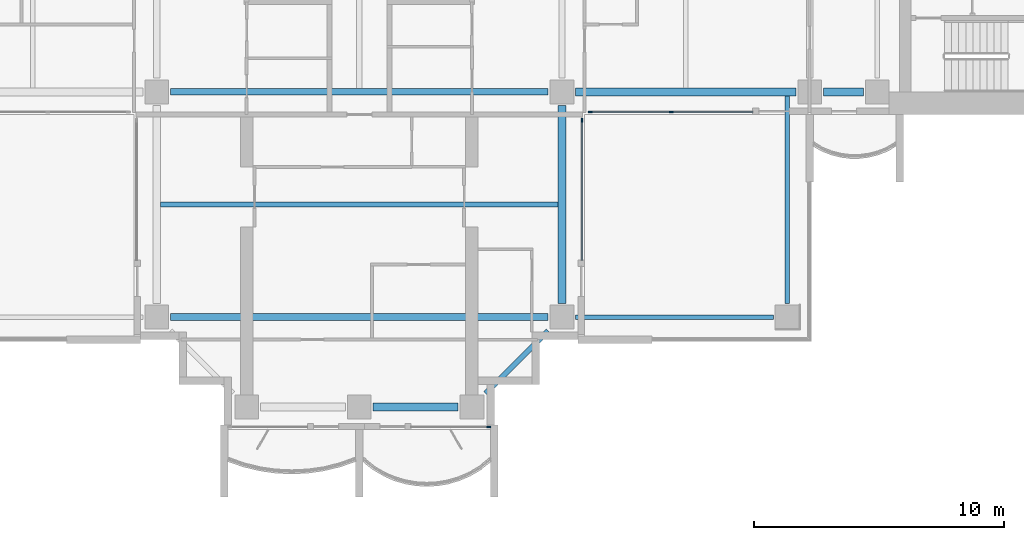
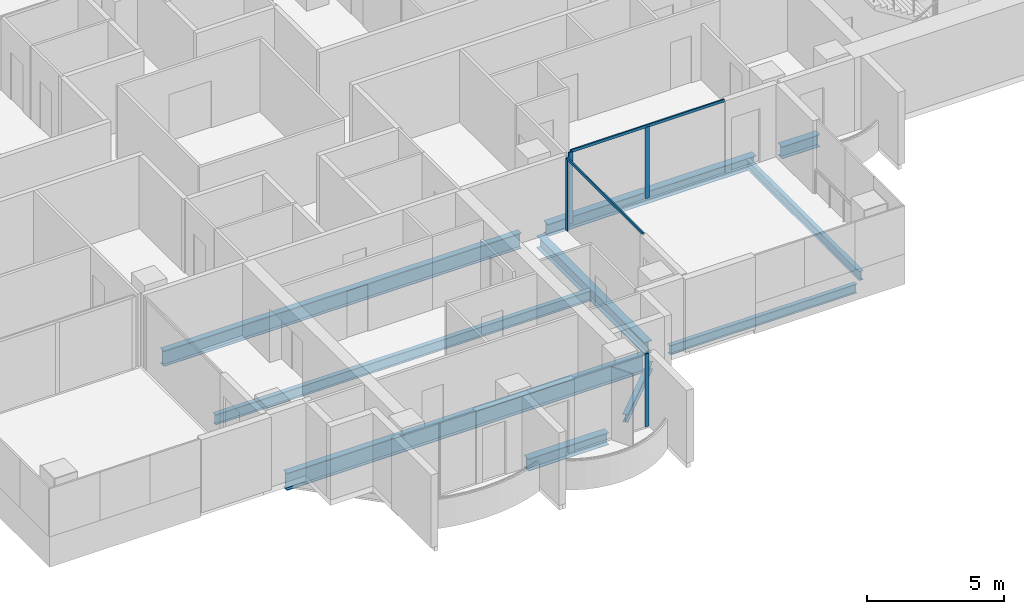
# One storey, part 3 of 18: 10 beams, 6 members, 3 elements without a shape of their own.
"""IFC4 building model written with IfcOpenShell, lengths in metres."""

from ifc_helpers import new_model, si_unit, direction, frame, origin, origin_2d, place, context, subcontext, project, spatial, rectangle, i_section, extrude, material, material_profile, profile_set, type_object, element, aggregate, save


model = new_model("IFC4")

# Units and contexts
model_context = context("Model", 3, precision=1e-05, world=origin(), true_north=direction((0.0, 1.0)))
body_context = subcontext(model_context, "Body", "Model", "MODEL_VIEW")
ifc_project = project(units=[si_unit("LENGTHUNIT", "METRE"), si_unit("AREAUNIT", "SQUARE_METRE"), si_unit("VOLUMEUNIT", "CUBIC_METRE"), si_unit("PLANEANGLEUNIT", "RADIAN"), si_unit("MASSUNIT", "GRAM", prefix="KILO")], contexts=[model_context])

# Site, building, storey
site_placement = place(None, origin())
site = spatial("IfcSite", under=ifc_project, at=site_placement, CompositionType="ELEMENT")
building_placement = place(site_placement, origin())
building = spatial("IfcBuilding", under=site, at=building_placement, Name="Perihelion Cross Residences", CompositionType="ELEMENT")
storey_placement = place(building_placement, frame((0.0, 0.0, 166.60009765625)))
storey = spatial("IfcBuildingStorey", under=building, at=storey_placement, Name="L40", CompositionType="ELEMENT", Elevation=166.60009765625)

# Curtain wall, member
ifc_material_1 = material(Name="Bronze anodised aluminium, tinted glazing", Category="aluminium")
curtain_wall_type = type_object("IfcCurtainWallType", Name="CW1", PredefinedType="NOTDEFINED", material=ifc_material_1)
curtain_wall_1_placement = place(storey_placement, origin())
curtain_wall_1 = element("IfcCurtainWall", 1, at=curtain_wall_1_placement, inside=storey, type_object=curtain_wall_type, Name="Curtain wall CW1 L40 south tip south bay 2", PredefinedType="NOTDEFINED")
ifc_material_2 = material(Name="Bronze anodised aluminium", Category="aluminium")
ifc_material_profile_1 = material_profile(ifc_material_2, rectangle(XDim=0.06005859375, YDim=0.159912109375, at=origin_2d()), Name="CW1 mullion")
ifc_profile_set_1 = profile_set([ifc_material_profile_1], Name="Bronze anodised aluminium")
member_type_1 = type_object("IfcMemberType", Name="CW1 mullion", PredefinedType="MULLION", material=ifc_profile_set_1)
member_1_placement = place(storey_placement, frame((5.169921875, -21.5, 0.0), z_axis=(0.0, 0.0, 1.0), x_axis=(0.0, 1.0, 0.0)))
member_1 = element("IfcMember", 2, at=member_1_placement, type_object=member_type_1, Name="CW1 mullion 2", PredefinedType="MULLION", context=body_context, shape_type="SweptSolid", body=[
    extrude(rectangle(XDim=0.06005859375, YDim=0.159912109375, at=origin_2d()), origin(), (0.0, 0.0, 1.0), 3.25),
])
aggregate(curtain_wall_1, [member_1])

curtain_wall_2_placement = place(storey_placement, origin())
curtain_wall_2 = element("IfcCurtainWall", 3, at=curtain_wall_2_placement, inside=storey, type_object=curtain_wall_type, Name="Curtain wall CW1 L40 south side east bay 1", PredefinedType="NOTDEFINED")
member_2_placement = place(storey_placement, frame((8.89990234375, -9.22998046875, 0.0), z_axis=(0.0, 0.0, 1.0), x_axis=(-1.0, 0.0, 0.0)))
member_2 = element("IfcMember", 4, at=member_2_placement, type_object=member_type_1, Name="CW1 mullion 2", PredefinedType="MULLION", context=body_context, shape_type="SweptSolid", body=[
    extrude(rectangle(XDim=0.06005859375, YDim=0.159912109375, at=origin_2d()), origin(), (0.0, 0.0, 1.0), 3.18994140625),
])

# Curtain wall, members
curtain_wall_3_placement = place(storey_placement, origin())
curtain_wall_3 = element("IfcCurtainWall", 5, at=curtain_wall_3_placement, inside=storey, type_object=curtain_wall_type, Name="Curtain wall CW1 L40 east side south bay 1", PredefinedType="NOTDEFINED")
member_3_placement = place(storey_placement, frame((9.22998046875, -8.89990234375, 0.0), z_axis=(0.0, 0.0, 1.0), x_axis=(0.0, 1.0, 0.0)))
member_3 = element("IfcMember", 6, at=member_3_placement, type_object=member_type_1, Name="CW1 mullion 1", PredefinedType="MULLION", context=body_context, shape_type="SweptSolid", body=[
    extrude(rectangle(XDim=0.06005859375, YDim=0.159912109375, at=origin_2d()), origin(), (0.0, 0.0, 1.0), 3.18994140625),
])
member_4_placement = place(storey_placement, frame((12.46240234375, -8.89990234375, 0.0), z_axis=(0.0, 0.0, 1.0), x_axis=(0.0, 1.0, 0.0)))
member_4 = element("IfcMember", 7, at=member_4_placement, type_object=member_type_1, Name="CW1 mullion 2", PredefinedType="MULLION", context=body_context, shape_type="SweptSolid", body=[
    extrude(rectangle(XDim=0.06005859375, YDim=0.159912109375, at=origin_2d()), origin(), (0.0, 0.0, 1.0), 3.18994140625),
])

# Member
ifc_material_3 = material(Name="Bronze anodised aluminium", Category="aluminium")
ifc_material_profile_2 = material_profile(ifc_material_3, rectangle(XDim=0.06005859375, YDim=0.1201171875, at=origin_2d()), Name="CW1 transom")
ifc_profile_set_2 = profile_set([ifc_material_profile_2], Name="Bronze anodised aluminium")
member_type_2 = type_object("IfcMemberType", Name="CW1 transom", PredefinedType="USERDEFINED", material=ifc_profile_set_2)
member_5_placement = place(storey_placement, frame((8.89990234375, -14.824951171875, 3.219970703125), z_axis=(0.0, 1.0, 0.0), x_axis=(-1.0, 0.0, 0.0)))
member_5 = element("IfcMember", 8, at=member_5_placement, type_object=member_type_2, Name="CW1 head transom", ObjectType="TRANSOM", PredefinedType="USERDEFINED", context=body_context, shape_type="SweptSolid", body=[
    extrude(rectangle(XDim=0.06005859375, YDim=0.1201171875, at=origin_2d()), origin(), (0.0, 0.0, 1.0), 5.594970703125),
])

aggregate(curtain_wall_2, [member_2, member_5])

member_6_placement = place(storey_placement, frame((9.22998046875, -8.89990234375, 3.219970703125), z_axis=(1.0, 0.0, 0.0), x_axis=(0.0, 1.0, 0.0)))
member_6 = element("IfcMember", 9, at=member_6_placement, type_object=member_type_2, Name="CW1 head transom", ObjectType="TRANSOM", PredefinedType="USERDEFINED", context=body_context, shape_type="SweptSolid", body=[
    extrude(rectangle(XDim=0.06005859375, YDim=0.1201171875, at=origin_2d()), origin(), (0.0, 0.0, 1.0), 6.4951171875),
])

aggregate(curtain_wall_3, [member_3, member_4, member_6])

# Beams
ifc_material_4 = material(Name="Steel S355", Category="steel")
ifc_material_profile_3 = material_profile(ifc_material_4, i_section(OverallWidth=0.177978515625, OverallDepth=0.406005859375, WebThickness=0.0078125, FlangeThickness=0.0126953125, at=origin_2d()), Name="W410x60")
ifc_profile_set_3 = profile_set([ifc_material_profile_3], Name="Steel S355")
beam_type_1 = type_object("IfcBeamType", Name="Core edge beam W410x60", PredefinedType="BEAM", material=ifc_profile_set_3)
beam_1_placement = place(storey_placement, frame((17.10009765625, -8.256103515625, -0.453125), z_axis=(0.0, -1.0, 0.0), x_axis=(1.0, 0.0, 0.0)))
element("IfcBeam", 10, at=beam_1_placement, inside=storey, type_object=beam_type_1, Name="Core edge beam TB2 L40 corner no. 5", PredefinedType="BEAM", context=body_context, shape_type="SweptSolid", body=[
    extrude(i_section(OverallWidth=0.177978515625, OverallDepth=0.406005859375, WebThickness=0.0078125, FlangeThickness=0.0126953125, at=origin_2d()), origin(), (0.0, 0.0, 1.0), 8.2939453125),
])
beam_2_placement = place(storey_placement, frame((8.64990234375, -17.10009765625, -0.453125), z_axis=(1.0, 0.0, 0.0), x_axis=(0.0, 1.0, 0.0)))
element("IfcBeam", 11, at=beam_2_placement, inside=storey, type_object=beam_type_1, Name="Core edge beam TB2 L40 corner no. 6", PredefinedType="BEAM", context=body_context, shape_type="SweptSolid", body=[
    extrude(i_section(OverallWidth=0.177978515625, OverallDepth=0.406005859375, WebThickness=0.0078125, FlangeThickness=0.0126953125, at=origin_2d()), origin(), (0.0, 0.0, 1.0), 7.900146484375),
])
ifc_material_5 = material(Name="Steel S355", Category="steel")
ifc_material_profile_4 = material_profile(ifc_material_5, i_section(OverallWidth=0.31201171875, OverallDepth=0.5439453125, WebThickness=0.0126953125, FlangeThickness=0.020263671875, at=origin_2d()), Name="W530x150")
ifc_profile_set_4 = profile_set([ifc_material_profile_4], Name="Steel S355")
beam_type_2 = type_object("IfcBeamType", Name="Edge beam W530x150", PredefinedType="SPANDREL", material=ifc_profile_set_4)
beam_3_placement = place(storey_placement, frame((0.550048828125, -20.699951171875, -0.522216796875), z_axis=(1.0, 0.0, 0.0), x_axis=(0.0, 1.0, 0.0)))
element("IfcBeam", 12, at=beam_3_placement, inside=storey, type_object=beam_type_2, Name="Edge beam SB4 L40 no. 7", PredefinedType="SPANDREL", context=body_context, shape_type="SweptSolid", body=[
    extrude(i_section(OverallWidth=0.31201171875, OverallDepth=0.5439453125, WebThickness=0.0126953125, FlangeThickness=0.020263671875, at=origin_2d()), origin(), (0.0, 0.0, 1.0), 3.39990234375),
])
beam_4_placement = place(storey_placement, frame((8.10009765625, -16.550048828125, -0.522216796875), z_axis=(0.0, 1.0, 0.0), x_axis=(-1.0, 0.0, 0.0)))
element("IfcBeam", 13, at=beam_4_placement, inside=storey, type_object=beam_type_2, Name="Edge beam SB4 L40 no. 11", PredefinedType="SPANDREL", context=body_context, shape_type="SweptSolid", body=[
    extrude(i_section(OverallWidth=0.31201171875, OverallDepth=0.5439453125, WebThickness=0.0126953125, FlangeThickness=0.020263671875, at=origin_2d()), origin(), (0.0, 0.0, 1.0), 7.900146484375),
])
beam_5_placement = place(storey_placement, frame((8.64990234375, -8.10009765625, -0.522216796875), z_axis=(1.0, 0.0, 0.0), x_axis=(0.0, 1.0, 0.0)))
element("IfcBeam", 14, at=beam_5_placement, inside=storey, type_object=beam_type_2, Name="Edge beam SB4 L40 no. 12", PredefinedType="SPANDREL", context=body_context, shape_type="SweptSolid", body=[
    extrude(i_section(OverallWidth=0.31201171875, OverallDepth=0.5439453125, WebThickness=0.0126953125, FlangeThickness=0.020263671875, at=origin_2d()), origin(), (0.0, 0.0, 1.0), 8.800048828125),
])
beam_6_placement = place(storey_placement, frame((18.550048828125, -8.10009765625, -0.522216796875), z_axis=(1.0, 0.0, 0.0), x_axis=(0.0, 1.0, 0.0)))
element("IfcBeam", 15, at=beam_6_placement, inside=storey, type_object=beam_type_2, Name="Edge beam SB4 L40 no. 8", PredefinedType="SPANDREL", context=body_context, shape_type="SweptSolid", body=[
    extrude(i_section(OverallWidth=0.31201171875, OverallDepth=0.5439453125, WebThickness=0.0126953125, FlangeThickness=0.020263671875, at=origin_2d()), origin(), (0.0, 0.0, 1.0), 1.599853515625),
])
ifc_material_6 = material(Name="Steel S355", Category="steel")
ifc_material_profile_5 = material_profile(ifc_material_6, i_section(OverallWidth=0.26708984375, OverallDepth=0.77001953125, WebThickness=0.015625, FlangeThickness=0.025390625, at=origin_2d()), Name="W760x196")
ifc_profile_set_5 = profile_set([ifc_material_profile_5], Name="Steel S355")
beam_type_3 = type_object("IfcBeamType", Name="Floor girder W760x196", PredefinedType="BEAM", material=ifc_profile_set_5)
beam_7_placement = place(storey_placement, frame((-7.550048828125, -17.10009765625, -0.635009765625), z_axis=(1.0, 0.0, 0.0), x_axis=(0.0, 1.0, 0.0)))
element("IfcBeam", 16, at=beam_7_placement, inside=storey, type_object=beam_type_3, Name="Girder G4 L40 no. 3", PredefinedType="BEAM", context=body_context, shape_type="SweptSolid", body=[
    extrude(i_section(OverallWidth=0.26708984375, OverallDepth=0.77001953125, WebThickness=0.015625, FlangeThickness=0.025390625, at=origin_2d()), origin(), (0.0, 0.0, 1.0), 15.10009765625),
])
ifc_material_7 = material(Name="Steel S355", Category="steel")
ifc_material_profile_6 = material_profile(ifc_material_7, i_section(OverallWidth=0.19091796875, OverallDepth=0.45703125, WebThickness=0.009033203125, FlangeThickness=0.014404296875, at=origin_2d()), Name="W460x74")
ifc_profile_set_6 = profile_set([ifc_material_profile_6], Name="Steel S355")
beam_type_4 = type_object("IfcBeamType", Name="Floor joist W460x74", PredefinedType="JOIST", material=ifc_profile_set_6)
beam_8_placement = place(storey_placement, frame((-7.944091796875, -12.60009765625, -0.478515625), z_axis=(1.0, 0.0, 0.0), x_axis=(0.0, 1.0, 0.0)))
element("IfcBeam", 17, at=beam_8_placement, inside=storey, type_object=beam_type_4, Name="Joist J5 L40 no. 3", PredefinedType="JOIST", context=body_context, shape_type="SweptSolid", body=[
    extrude(i_section(OverallWidth=0.19091796875, OverallDepth=0.45703125, WebThickness=0.009033203125, FlangeThickness=0.014404296875, at=origin_2d()), origin(), (0.0, 0.0, 1.0), 15.88818359375),
])
ifc_material_8 = material(Name="Steel S355", Category="steel")
ifc_material_profile_7 = material_profile(ifc_material_8, i_section(OverallWidth=0.257080078125, OverallDepth=0.693115234375, WebThickness=0.014404296875, FlangeThickness=0.023681640625, at=origin_2d()), Name="W690x170")
ifc_profile_set_7 = profile_set([ifc_material_profile_7], Name="Steel S355")
beam_type_5 = type_object("IfcBeamType", Name="Hub ring girder W690x170", PredefinedType="BEAM", material=ifc_profile_set_7)
beam_9_placement = place(storey_placement, frame((-7.550048828125, -8.10009765625, -0.5966796875), z_axis=(1.0, 0.0, 0.0), x_axis=(0.0, 1.0, 0.0)))
element("IfcBeam", 18, at=beam_9_placement, inside=storey, type_object=beam_type_5, Name="Hub ring girder RG4 L40 no. 1", PredefinedType="BEAM", context=body_context, shape_type="SweptSolid", body=[
    extrude(i_section(OverallWidth=0.257080078125, OverallDepth=0.693115234375, WebThickness=0.014404296875, FlangeThickness=0.023681640625, at=origin_2d()), origin(), (0.0, 0.0, 1.0), 15.10009765625),
])
ifc_material_9 = material(Name="Steel S355", Category="steel")
ifc_material_profile_8 = material_profile(ifc_material_9, i_section(OverallWidth=0.205078125, OverallDepth=0.35302734375, WebThickness=0.009521484375, FlangeThickness=0.016845703125, at=origin_2d()), Name="W360x79")
ifc_profile_set_8 = profile_set([ifc_material_profile_8], Name="Steel S355")
beam_type_6 = type_object("IfcBeamType", Name="Serration edge beam W360x79", PredefinedType="BEAM", material=ifc_profile_set_8)
beam_10_placement = place(storey_placement, frame((5.050048828125, -20.14990234375, -0.426513671875), z_axis=(0.707106781187, 0.707106781187, 0.0), x_axis=(-0.707106781187, 0.707106781187, 0.0)))
element("IfcBeam", 19, at=beam_10_placement, inside=storey, type_object=beam_type_6, Name="Serration edge beam EB4 L40 no. 2", PredefinedType="BEAM", context=body_context, shape_type="SweptSolid", body=[
    extrude(i_section(OverallWidth=0.205078125, OverallDepth=0.35302734375, WebThickness=0.009521484375, FlangeThickness=0.016845703125, at=origin_2d()), origin(), (0.0, 0.0, 1.0), 3.53564453125),
])

save(model, "model.ifc")
